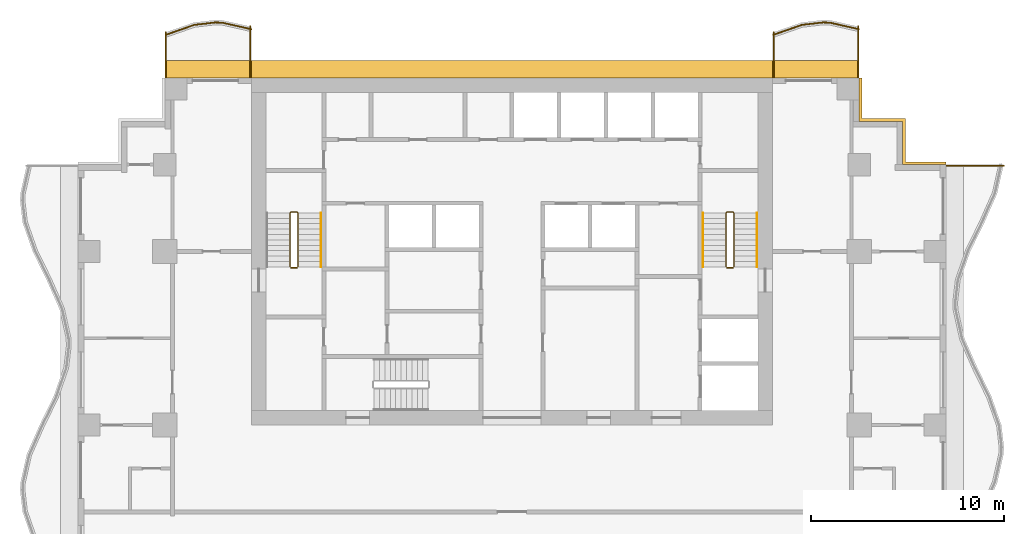
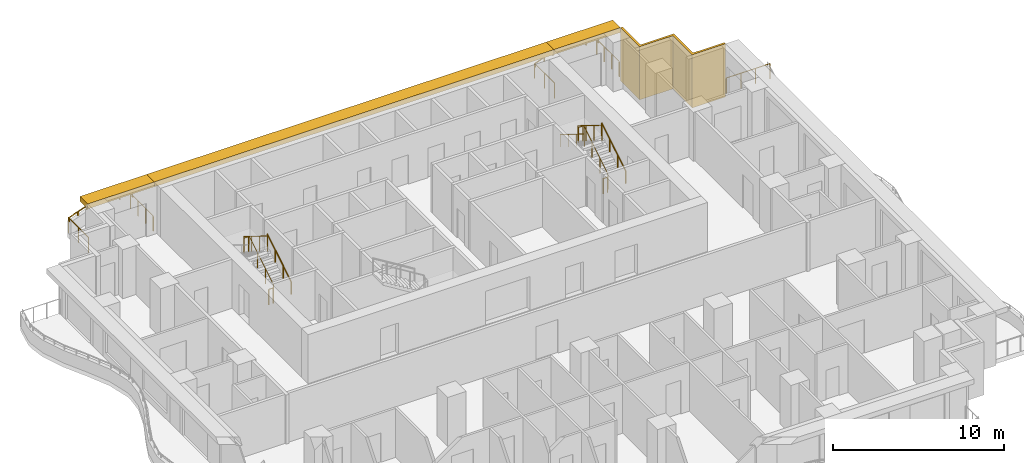
# One storey, part 10 of 10: 14 railings, 4 shading devices.
"""IFC4 building model written with IfcOpenShell, lengths in metres."""

from ifc_helpers import new_model, si_unit, direction, frame, origin, origin_2d, place, context, subcontext, project, spatial, polyline, rectangle, circle, outline, extrude, material, layer, layer_set, type_object, element, save


model = new_model("IFC4")

# Units and contexts
model_context = context("Model", 3, precision=1e-05, world=origin(), true_north=direction((0.0, 1.0)))
body_context = subcontext(model_context, "Body", "Model", "MODEL_VIEW")
ifc_project = project(units=[si_unit("LENGTHUNIT", "METRE"), si_unit("AREAUNIT", "SQUARE_METRE"), si_unit("VOLUMEUNIT", "CUBIC_METRE"), si_unit("PLANEANGLEUNIT", "RADIAN"), si_unit("MASSUNIT", "GRAM", prefix="KILO")], contexts=[model_context])

# Site, building, storey
site_placement = place(None, origin())
site = spatial("IfcSite", under=ifc_project, at=site_placement, CompositionType="ELEMENT")
building_placement = place(site_placement, origin())
building = spatial("IfcBuilding", under=site, at=building_placement, Name="Orbiselva Terraces", CompositionType="ELEMENT")
storey_placement = place(building_placement, frame((0.0, 0.0, 147.8)))
storey = spatial("IfcBuildingStorey", under=building, at=storey_placement, Name="L37", CompositionType="ELEMENT", Elevation=147.8)

# Railings
ifc_material_1 = material(Name="Stainless steel", Category="steel")
railing_type_1 = type_object("IfcRailingType", Name="CORE-GUARD-1100", PredefinedType="GUARDRAIL", material=ifc_material_1)
railing_1_placement = place(storey_placement, frame((-11.1, 12.7, 0.172727)))
element("IfcRailing", 1, at=railing_1_placement, inside=storey, type_object=railing_type_1, Name="L37 S1 stair guard 1", PredefinedType="GUARDRAIL", context=body_context, shape_type="SweptSolid", body=[
    extrude(circle(Radius=0.024, at=origin_2d()), frame((0.0, 0.0, 1.081), z_axis=(0.0, 0.851088519012, 0.52502222125), x_axis=(-1.0, 0.0, 0.0)), (0.0, 0.0, 1.0), 3.289905),
    extrude(circle(Radius=0.024, at=origin_2d()), frame((0.0, 2.8, 2.808273), z_axis=(-0.707106781187, 0.707106781187, 0.0), x_axis=(-0.707106781187, -0.707106781187, 0.0)), (0.0, 0.0, 1.0), 0.070711),
    extrude(circle(Radius=0.024, at=origin_2d()), frame((-0.05, 2.85, 2.808273), z_axis=(-1.0, 0.0, 0.0), x_axis=(0.0, -1.0, 0.0)), (0.0, 0.0, 1.0), 0.3),
    extrude(circle(Radius=0.024, at=origin_2d()), frame((-0.35, 2.85, 2.808273), z_axis=(-0.267894925557, -0.267894925557, 0.925453736133), x_axis=(0.707106781187, -0.707106781187, 0.0)), (0.0, 0.0, 1.0), 0.18664),
    extrude(circle(Radius=0.024, at=origin_2d()), frame((-0.4, 2.8, 2.981), z_axis=(0.0, -0.851088519012, 0.52502222125), x_axis=(1.0, 0.0, 0.0)), (0.0, 0.0, 1.0), 3.289905),
    extrude(circle(Radius=0.021, at=origin_2d()), origin(), (0.0, 0.0, 1.0), 1.057),
    extrude(circle(Radius=0.021, at=origin_2d()), frame((0.0, 0.933333, 0.575758)), (0.0, 0.0, 1.0), 1.057),
    extrude(circle(Radius=0.021, at=origin_2d()), frame((0.0, 1.866667, 1.151515)), (0.0, 0.0, 1.0), 1.057),
    extrude(circle(Radius=0.021, at=origin_2d()), frame((0.0, 2.8, 1.727273)), (0.0, 0.0, 1.0), 1.057),
    extrude(circle(Radius=0.021, at=origin_2d()), frame((-0.05, 2.85, 1.727273)), (0.0, 0.0, 1.0), 1.057),
    extrude(circle(Radius=0.021, at=origin_2d()), frame((-0.35, 2.85, 1.727273)), (0.0, 0.0, 1.0), 1.057),
    extrude(circle(Radius=0.021, at=origin_2d()), frame((-0.4, 2.8, 1.9)), (0.0, 0.0, 1.0), 1.057),
    extrude(circle(Radius=0.021, at=origin_2d()), frame((-0.4, 1.866667, 2.475758)), (0.0, 0.0, 1.0), 1.057),
    extrude(circle(Radius=0.021, at=origin_2d()), frame((-0.4, 0.933333, 3.051515)), (0.0, 0.0, 1.0), 1.057),
    extrude(circle(Radius=0.021, at=origin_2d()), frame((-0.4, 0.0, 3.627273)), (0.0, 0.0, 1.0), 1.057),
])
railing_2_placement = place(storey_placement, frame((-11.15, 12.65, 0.0)))
element("IfcRailing", 2, at=railing_2_placement, inside=storey, type_object=railing_type_1, Name="L37 S1 stair guard 2", PredefinedType="GUARDRAIL", context=body_context, shape_type="SweptSolid", body=[
    extrude(circle(Radius=0.024, at=origin_2d()), frame((0.0, 0.0, 1.081), z_axis=(-1.0, 0.0, 0.0), x_axis=(0.0, -1.0, 0.0)), (0.0, 0.0, 1.0), 0.3),
    extrude(circle(Radius=0.021, at=origin_2d()), origin(), (0.0, 0.0, 1.0), 1.057),
    extrude(circle(Radius=0.021, at=origin_2d()), frame((-0.3, 0.0, 0.0)), (0.0, 0.0, 1.0), 1.057),
])
railing_3_placement = place(storey_placement, frame((11.5, 12.7, 0.172727)))
element("IfcRailing", 3, at=railing_3_placement, inside=storey, type_object=railing_type_1, Name="L37 S2 stair guard 1", PredefinedType="GUARDRAIL", context=body_context, shape_type="SweptSolid", body=[
    extrude(circle(Radius=0.024, at=origin_2d()), frame((0.0, 0.0, 1.081), z_axis=(0.0, 0.851088519012, 0.52502222125), x_axis=(-1.0, 0.0, 0.0)), (0.0, 0.0, 1.0), 3.289905),
    extrude(circle(Radius=0.024, at=origin_2d()), frame((0.0, 2.8, 2.808273), z_axis=(-0.707106781187, 0.707106781187, 0.0), x_axis=(-0.707106781187, -0.707106781187, 0.0)), (0.0, 0.0, 1.0), 0.070711),
    extrude(circle(Radius=0.024, at=origin_2d()), frame((-0.05, 2.85, 2.808273), z_axis=(-1.0, 0.0, 0.0), x_axis=(0.0, -1.0, 0.0)), (0.0, 0.0, 1.0), 0.3),
    extrude(circle(Radius=0.024, at=origin_2d()), frame((-0.35, 2.85, 2.808273), z_axis=(-0.267894925557, -0.267894925557, 0.925453736133), x_axis=(0.707106781187, -0.707106781187, 0.0)), (0.0, 0.0, 1.0), 0.18664),
    extrude(circle(Radius=0.024, at=origin_2d()), frame((-0.4, 2.8, 2.981), z_axis=(0.0, -0.851088519012, 0.52502222125), x_axis=(1.0, 0.0, 0.0)), (0.0, 0.0, 1.0), 3.289905),
    extrude(circle(Radius=0.021, at=origin_2d()), origin(), (0.0, 0.0, 1.0), 1.057),
    extrude(circle(Radius=0.021, at=origin_2d()), frame((0.0, 0.933333, 0.575758)), (0.0, 0.0, 1.0), 1.057),
    extrude(circle(Radius=0.021, at=origin_2d()), frame((0.0, 1.866667, 1.151515)), (0.0, 0.0, 1.0), 1.057),
    extrude(circle(Radius=0.021, at=origin_2d()), frame((0.0, 2.8, 1.727273)), (0.0, 0.0, 1.0), 1.057),
    extrude(circle(Radius=0.021, at=origin_2d()), frame((-0.05, 2.85, 1.727273)), (0.0, 0.0, 1.0), 1.057),
    extrude(circle(Radius=0.021, at=origin_2d()), frame((-0.35, 2.85, 1.727273)), (0.0, 0.0, 1.0), 1.057),
    extrude(circle(Radius=0.021, at=origin_2d()), frame((-0.4, 2.8, 1.9)), (0.0, 0.0, 1.0), 1.057),
    extrude(circle(Radius=0.021, at=origin_2d()), frame((-0.4, 1.866667, 2.475758)), (0.0, 0.0, 1.0), 1.057),
    extrude(circle(Radius=0.021, at=origin_2d()), frame((-0.4, 0.933333, 3.051515)), (0.0, 0.0, 1.0), 1.057),
    extrude(circle(Radius=0.021, at=origin_2d()), frame((-0.4, 0.0, 3.627273)), (0.0, 0.0, 1.0), 1.057),
])
railing_4_placement = place(storey_placement, frame((11.45, 12.65, 0.0)))
element("IfcRailing", 4, at=railing_4_placement, inside=storey, type_object=railing_type_1, Name="L37 S2 stair guard 2", PredefinedType="GUARDRAIL", context=body_context, shape_type="SweptSolid", body=[
    extrude(circle(Radius=0.024, at=origin_2d()), frame((0.0, 0.0, 1.081), z_axis=(-1.0, 0.0, 0.0), x_axis=(0.0, -1.0, 0.0)), (0.0, 0.0, 1.0), 0.3),
    extrude(circle(Radius=0.021, at=origin_2d()), origin(), (0.0, 0.0, 1.0), 1.057),
    extrude(circle(Radius=0.021, at=origin_2d()), frame((-0.3, 0.0, 0.0)), (0.0, 0.0, 1.0), 1.057),
])
railing_type_2 = type_object("IfcRailingType", Name="CORE-HANDRAIL-900", PredefinedType="HANDRAIL", material=ifc_material_1)
for number, where, name in (
    (5, (-9.9, 12.7, 0.172727), "L37 S1 stair handrail 1"),
    (6, (12.7, 12.7, 0.172727), "L37 S2 stair handrail 1"),
):
    element("IfcRailing", number, at=place(storey_placement, frame(where)), inside=storey, type_object=railing_type_2, Name=name, PredefinedType="HANDRAIL", context=body_context, shape_type="SweptSolid", body=[
        extrude(circle(Radius=0.024, at=origin_2d()), frame((0.0, 0.0, 0.876), z_axis=(0.0, 0.851088519012, 0.52502222125), x_axis=(-1.0, 0.0, 0.0)), (0.0, 0.0, 1.0), 3.289905),
        extrude(circle(Radius=0.021, at=origin_2d()), origin(), (0.0, 0.0, 1.0), 0.852),
        extrude(circle(Radius=0.021, at=origin_2d()), frame((0.0, 0.933333, 0.575758)), (0.0, 0.0, 1.0), 0.852),
        extrude(circle(Radius=0.021, at=origin_2d()), frame((0.0, 1.866667, 1.151515)), (0.0, 0.0, 1.0), 0.852),
        extrude(circle(Radius=0.021, at=origin_2d()), frame((0.0, 2.8, 1.727273)), (0.0, 0.0, 1.0), 0.852),
    ])
railing_5_placement = place(storey_placement, frame((9.9, 15.5, 2.072727)))
element("IfcRailing", 7, at=railing_5_placement, inside=storey, type_object=railing_type_2, Name="L37 S2 stair handrail 2", PredefinedType="HANDRAIL", context=body_context, shape_type="SweptSolid", body=[
    extrude(circle(Radius=0.024, at=origin_2d()), frame((0.0, 0.0, 0.876), z_axis=(0.0, -0.851088519012, 0.52502222125), x_axis=(1.0, 0.0, 0.0)), (0.0, 0.0, 1.0), 3.289905),
    extrude(circle(Radius=0.021, at=origin_2d()), origin(), (0.0, 0.0, 1.0), 0.852),
    extrude(circle(Radius=0.021, at=origin_2d()), frame((0.0, -0.933333, 0.575758)), (0.0, 0.0, 1.0), 0.852),
    extrude(circle(Radius=0.021, at=origin_2d()), frame((0.0, -1.866667, 1.151515)), (0.0, 0.0, 1.0), 0.852),
    extrude(circle(Radius=0.021, at=origin_2d()), frame((0.0, -2.8, 1.727273)), (0.0, 0.0, 1.0), 0.852),
])
ifc_material_2 = material(Name="Bonded two-ply safety glass balustrade, stainless steel posts", Category="steel")
railing_type_3 = type_object("IfcRailingType", Name="ENV-BALUSTRADE-1200", PredefinedType="BALUSTRADE", material=ifc_material_2)
railing_6_placement = place(storey_placement, frame((17.972623, 25.026563, 0.9)))
element("IfcRailing", 8, at=railing_6_placement, inside=storey, type_object=railing_type_3, Name="Balcony balustrade L37 NE", PredefinedType="BALUSTRADE", context=body_context, shape_type="SweptSolid", body=[
    extrude(outline(polyline([(0.028868, 0.0), (0.014434, 0.025), (-0.014434, 0.025), (-0.028868, 0.0), (-0.014434, -0.025), (0.014434, -0.025), (0.028868, 0.0)])), frame((0.0, 0.0, 0.275), z_axis=(-0.975721322437, 0.21901575501, 0.0), x_axis=(-0.21901575501, -0.975721322437, 0.0)), (0.0, 0.0, 1.0), 1.525954),
    extrude(outline(polyline([(0.028868, 0.0), (0.014434, 0.025), (-0.014434, 0.025), (-0.028868, 0.0), (-0.014434, -0.025), (0.014434, -0.025), (0.028868, 0.0)])), frame((-1.488906, 0.334208, 0.275), z_axis=(-0.999224931454, 0.039364150694, 0.0), x_axis=(-0.039364150694, -0.999224931454, 0.0)), (0.0, 0.0, 1.0), 0.354206),
    extrude(outline(polyline([(0.028868, 0.0), (0.014434, 0.025), (-0.014434, 0.025), (-0.028868, 0.0), (-0.014434, -0.025), (0.014434, -0.025), (0.028868, 0.0)])), frame((-1.842837, 0.348151, 0.275), z_axis=(-0.993309658409, -0.115481264762, 0.0), x_axis=(0.115481264762, -0.993309658409, 0.0)), (0.0, 0.0, 1.0), 1.10902),
    extrude(outline(polyline([(0.028868, 0.0), (0.014434, 0.025), (-0.014434, 0.025), (-0.028868, 0.0), (-0.014434, -0.025), (0.014434, -0.025), (0.028868, 0.0)])), frame((-2.944437, 0.22008, 0.275), z_axis=(-0.943972228787, -0.330024894939, 0.0), x_axis=(0.330024894939, -0.943972228787, 0.0)), (0.0, 0.0, 1.0), 1.575187),
    extrude(rectangle(XDim=0.05, YDim=0.05, at=origin_2d()), origin(), (0.0, 0.0, 1.0), 0.25),
    extrude(rectangle(XDim=0.05, YDim=0.05, at=origin_2d()), frame((-0.744453, 0.167104, 0.0)), (0.0, 0.0, 1.0), 0.25),
    extrude(rectangle(XDim=0.05, YDim=0.05, at=origin_2d()), frame((-1.488906, 0.334208, 0.0)), (0.0, 0.0, 1.0), 0.25),
    extrude(rectangle(XDim=0.05, YDim=0.05, at=origin_2d()), frame((-1.842837, 0.348151, 0.0)), (0.0, 0.0, 1.0), 0.25),
    extrude(rectangle(XDim=0.05, YDim=0.05, at=origin_2d()), frame((-2.944437, 0.22008, 0.0)), (0.0, 0.0, 1.0), 0.25),
    extrude(rectangle(XDim=0.05, YDim=0.05, at=origin_2d()), frame((-3.687903, -0.039846, 0.0)), (0.0, 0.0, 1.0), 0.25),
    extrude(rectangle(XDim=0.05, YDim=0.05, at=origin_2d()), frame((-4.43137, -0.299771, 0.0)), (0.0, 0.0, 1.0), 0.25),
])
railing_7_placement = place(storey_placement, frame((-13.527377, 25.026563, 0.9)))
element("IfcRailing", 9, at=railing_7_placement, inside=storey, type_object=railing_type_3, Name="Balcony balustrade L37 NW", PredefinedType="BALUSTRADE", context=body_context, shape_type="SweptSolid", body=[
    extrude(outline(polyline([(0.028868, 0.0), (0.014434, 0.025), (-0.014434, 0.025), (-0.028868, 0.0), (-0.014434, -0.025), (0.014434, -0.025), (0.028868, 0.0)])), frame((0.0, 0.0, 0.275), z_axis=(-0.975721322437, 0.21901575501, 0.0), x_axis=(-0.21901575501, -0.975721322437, 0.0)), (0.0, 0.0, 1.0), 1.525954),
    extrude(outline(polyline([(0.028868, 0.0), (0.014434, 0.025), (-0.014434, 0.025), (-0.028868, 0.0), (-0.014434, -0.025), (0.014434, -0.025), (0.028868, 0.0)])), frame((-1.488906, 0.334208, 0.275), z_axis=(-0.999224931454, 0.039364150694, 0.0), x_axis=(-0.039364150694, -0.999224931454, 0.0)), (0.0, 0.0, 1.0), 0.354206),
    extrude(outline(polyline([(0.028868, 0.0), (0.014434, 0.025), (-0.014434, 0.025), (-0.028868, 0.0), (-0.014434, -0.025), (0.014434, -0.025), (0.028868, 0.0)])), frame((-1.842837, 0.348151, 0.275), z_axis=(-0.993309658409, -0.115481264762, 0.0), x_axis=(0.115481264762, -0.993309658409, 0.0)), (0.0, 0.0, 1.0), 1.10902),
    extrude(outline(polyline([(0.028868, 0.0), (0.014434, 0.025), (-0.014434, 0.025), (-0.028868, 0.0), (-0.014434, -0.025), (0.014434, -0.025), (0.028868, 0.0)])), frame((-2.944437, 0.22008, 0.275), z_axis=(-0.943972228787, -0.330024894939, 0.0), x_axis=(0.330024894939, -0.943972228787, 0.0)), (0.0, 0.0, 1.0), 1.575187),
    extrude(rectangle(XDim=0.05, YDim=0.05, at=origin_2d()), origin(), (0.0, 0.0, 1.0), 0.25),
    extrude(rectangle(XDim=0.05, YDim=0.05, at=origin_2d()), frame((-0.744453, 0.167104, 0.0)), (0.0, 0.0, 1.0), 0.25),
    extrude(rectangle(XDim=0.05, YDim=0.05, at=origin_2d()), frame((-1.488906, 0.334208, 0.0)), (0.0, 0.0, 1.0), 0.25),
    extrude(rectangle(XDim=0.05, YDim=0.05, at=origin_2d()), frame((-1.842837, 0.348151, 0.0)), (0.0, 0.0, 1.0), 0.25),
    extrude(rectangle(XDim=0.05, YDim=0.05, at=origin_2d()), frame((-2.944437, 0.22008, 0.0)), (0.0, 0.0, 1.0), 0.25),
    extrude(rectangle(XDim=0.05, YDim=0.05, at=origin_2d()), frame((-3.687903, -0.039846, 0.0)), (0.0, 0.0, 1.0), 0.25),
    extrude(rectangle(XDim=0.05, YDim=0.05, at=origin_2d()), frame((-4.43137, -0.299771, 0.0)), (0.0, 0.0, 1.0), 0.25),
])
ifc_material_3 = material(Name="Stainless steel rail and posts", Category="steel")
railing_type_4 = type_object("IfcRailingType", Name="ENV-GUARD-1105", PredefinedType="BALUSTRADE", material=ifc_material_3)
railing_8_placement = place(storey_placement, frame((25.480134, 17.94, 0.0)))
element("IfcRailing", 10, at=railing_8_placement, inside=storey, type_object=railing_type_4, Name="Balcony end guard L37 E", PredefinedType="BALUSTRADE", context=body_context, shape_type="SweptSolid", body=[
    extrude(outline(polyline([(0.028868, 0.0), (0.014434, 0.025), (-0.014434, 0.025), (-0.028868, 0.0), (-0.014434, -0.025), (0.014434, -0.025), (0.028868, 0.0)])), frame((0.0, 0.0, 1.08), z_axis=(-1.0, 0.0, 0.0), x_axis=(0.0, -1.0, 0.0)), (0.0, 0.0, 1.0), 2.955134),
    extrude(rectangle(XDim=0.05, YDim=0.05, at=origin_2d()), origin(), (0.0, 0.0, 1.0), 1.055),
    extrude(rectangle(XDim=0.05, YDim=0.05, at=origin_2d()), frame((-0.985045, 0.0, 0.0)), (0.0, 0.0, 1.0), 1.055),
    extrude(rectangle(XDim=0.05, YDim=0.05, at=origin_2d()), frame((-1.970089, 0.0, 0.0)), (0.0, 0.0, 1.0), 1.055),
    extrude(rectangle(XDim=0.05, YDim=0.05, at=origin_2d()), frame((-2.955134, 0.0, 0.0)), (0.0, 0.0, 1.0), 1.055),
])
railing_9_placement = place(storey_placement, frame((17.94, 25.169584, 0.0)))
element("IfcRailing", 11, at=railing_9_placement, inside=storey, type_object=railing_type_4, Name="Balcony end guard L37 NE", PredefinedType="BALUSTRADE", context=body_context, shape_type="SweptSolid", body=[
    extrude(outline(polyline([(0.028868, 0.0), (0.014434, 0.025), (-0.014434, 0.025), (-0.028868, 0.0), (-0.014434, -0.025), (0.014434, -0.025), (0.028868, 0.0)])), frame((0.0, 0.0, 1.08), z_axis=(0.0, -1.0, 0.0), x_axis=(1.0, 0.0, 0.0)), (0.0, 0.0, 1.0), 2.644584),
    extrude(rectangle(XDim=0.05, YDim=0.05, at=origin_2d()), origin(), (0.0, 0.0, 1.0), 1.055),
    extrude(rectangle(XDim=0.05, YDim=0.05, at=origin_2d()), frame((0.0, -0.881528, 0.0)), (0.0, 0.0, 1.0), 1.055),
    extrude(rectangle(XDim=0.05, YDim=0.05, at=origin_2d()), frame((0.0, -1.763056, 0.0)), (0.0, 0.0, 1.0), 1.055),
    extrude(rectangle(XDim=0.05, YDim=0.05, at=origin_2d()), frame((0.0, -2.644584, 0.0)), (0.0, 0.0, 1.0), 1.055),
])
railing_10_placement = place(storey_placement, frame((13.56, 24.871486, 0.0)))
element("IfcRailing", 12, at=railing_10_placement, inside=storey, type_object=railing_type_4, Name="Balcony end guard L37 NE", PredefinedType="BALUSTRADE", context=body_context, shape_type="SweptSolid", body=[
    extrude(outline(polyline([(0.028868, 0.0), (0.014434, 0.025), (-0.014434, 0.025), (-0.028868, 0.0), (-0.014434, -0.025), (0.014434, -0.025), (0.028868, 0.0)])), frame((0.0, 0.0, 1.08), z_axis=(0.0, -1.0, 0.0), x_axis=(1.0, 0.0, 0.0)), (0.0, 0.0, 1.0), 2.346486),
    extrude(rectangle(XDim=0.05, YDim=0.05, at=origin_2d()), origin(), (0.0, 0.0, 1.0), 1.055),
    extrude(rectangle(XDim=0.05, YDim=0.05, at=origin_2d()), frame((0.0, -1.173243, 0.0)), (0.0, 0.0, 1.0), 1.055),
    extrude(rectangle(XDim=0.05, YDim=0.05, at=origin_2d()), frame((0.0, -2.346486, 0.0)), (0.0, 0.0, 1.0), 1.055),
])
railing_11_placement = place(storey_placement, frame((-13.56, 25.169584, 0.0)))
element("IfcRailing", 13, at=railing_11_placement, inside=storey, type_object=railing_type_4, Name="Balcony end guard L37 NW", PredefinedType="BALUSTRADE", context=body_context, shape_type="SweptSolid", body=[
    extrude(outline(polyline([(0.028868, 0.0), (0.014434, 0.025), (-0.014434, 0.025), (-0.028868, 0.0), (-0.014434, -0.025), (0.014434, -0.025), (0.028868, 0.0)])), frame((0.0, 0.0, 1.08), z_axis=(0.0, -1.0, 0.0), x_axis=(1.0, 0.0, 0.0)), (0.0, 0.0, 1.0), 2.644584),
    extrude(rectangle(XDim=0.05, YDim=0.05, at=origin_2d()), origin(), (0.0, 0.0, 1.0), 1.055),
    extrude(rectangle(XDim=0.05, YDim=0.05, at=origin_2d()), frame((0.0, -0.881528, 0.0)), (0.0, 0.0, 1.0), 1.055),
    extrude(rectangle(XDim=0.05, YDim=0.05, at=origin_2d()), frame((0.0, -1.763056, 0.0)), (0.0, 0.0, 1.0), 1.055),
    extrude(rectangle(XDim=0.05, YDim=0.05, at=origin_2d()), frame((0.0, -2.644584, 0.0)), (0.0, 0.0, 1.0), 1.055),
])
railing_12_placement = place(storey_placement, frame((-17.94, 24.871486, 0.0)))
element("IfcRailing", 14, at=railing_12_placement, inside=storey, type_object=railing_type_4, Name="Balcony end guard L37 NW", PredefinedType="BALUSTRADE", context=body_context, shape_type="SweptSolid", body=[
    extrude(outline(polyline([(0.028868, 0.0), (0.014434, 0.025), (-0.014434, 0.025), (-0.028868, 0.0), (-0.014434, -0.025), (0.014434, -0.025), (0.028868, 0.0)])), frame((0.0, 0.0, 1.08), z_axis=(0.0, -1.0, 0.0), x_axis=(1.0, 0.0, 0.0)), (0.0, 0.0, 1.0), 2.346486),
    extrude(rectangle(XDim=0.05, YDim=0.05, at=origin_2d()), origin(), (0.0, 0.0, 1.0), 1.055),
    extrude(rectangle(XDim=0.05, YDim=0.05, at=origin_2d()), frame((0.0, -1.173243, 0.0)), (0.0, 0.0, 1.0), 1.055),
    extrude(rectangle(XDim=0.05, YDim=0.05, at=origin_2d()), frame((0.0, -2.346486, 0.0)), (0.0, 0.0, 1.0), 1.055),
])

# Shading devices
ifc_material_4 = material(Name="Terracotta louvre screen", Category="masonry")
ifc_layer_1 = layer(ifc_material_4, 0.15)
ifc_layer_set_1 = layer_set([ifc_layer_1], Name="Terracotta louvre screen")
shading_device_type_1 = type_object("IfcShadingDeviceType", Name="ENV-SCREEN-150", PredefinedType="USERDEFINED", material=ifc_layer_set_1)
shading_device_1_placement = place(storey_placement, frame((0.0, 0.0, -0.3)))
element("IfcShadingDevice", 15, at=shading_device_1_placement, inside=storey, type_object=shading_device_type_1, Name="Louvre screen L37 NE", ObjectType="SCREEN", PredefinedType="USERDEFINED", context=body_context, shape_type="SweptSolid", body=[
    extrude(outline(polyline([(22.5, 18.15), (20.4, 18.15), (20.4, 20.4), (18.15, 20.4), (18.15, 22.5), (18.0, 22.5), (18.0, 20.25), (20.25, 20.25), (20.25, 18.0), (22.5, 18.0), (22.5, 18.15)])), origin(), (0.0, 0.0, 1.0), 3.8),
])
ifc_material_5 = material(Name="Terracotta baguette sunshade", Category="masonry")
ifc_layer_2 = layer(ifc_material_5, 0.35)
ifc_layer_set_2 = layer_set([ifc_layer_2], Name="Terracotta baguette sunshade")
shading_device_type_2 = type_object("IfcShadingDeviceType", Name="ENV-SUNSHADE-900x350", PredefinedType="USERDEFINED", material=ifc_layer_set_2)
shading_device_2_placement = place(storey_placement, frame((0.0, 0.0, 3.15)))
element("IfcShadingDevice", 16, at=shading_device_2_placement, inside=storey, type_object=shading_device_type_2, Name="Sunshade band L37 NE", ObjectType="SUNSHADE", PredefinedType="USERDEFINED", context=body_context, shape_type="SweptSolid", body=[
    extrude(outline(polyline([(18.0, 23.4), (13.5, 23.4), (13.5, 22.5), (18.0, 22.5), (18.0, 23.4)])), origin(), (0.0, 0.0, 1.0), 0.35),
])
shading_device_3_placement = place(storey_placement, frame((0.0, 0.0, 3.15)))
element("IfcShadingDevice", 17, at=shading_device_3_placement, inside=storey, type_object=shading_device_type_2, Name="Sunshade band L37 CORE NORTH", ObjectType="SUNSHADE", PredefinedType="USERDEFINED", context=body_context, shape_type="SweptSolid", body=[
    extrude(outline(polyline([(13.5, 23.4), (-13.5, 23.4), (-13.5, 22.5), (13.5, 22.5), (13.5, 23.4)])), origin(), (0.0, 0.0, 1.0), 0.35),
])
shading_device_4_placement = place(storey_placement, frame((0.0, 0.0, 3.15)))
element("IfcShadingDevice", 18, at=shading_device_4_placement, inside=storey, type_object=shading_device_type_2, Name="Sunshade band L37 NW", ObjectType="SUNSHADE", PredefinedType="USERDEFINED", context=body_context, shape_type="SweptSolid", body=[
    extrude(outline(polyline([(-13.5, 23.4), (-18.0, 23.4), (-18.0, 22.5), (-13.5, 22.5), (-13.5, 23.4)])), origin(), (0.0, 0.0, 1.0), 0.35),
])

save(model, "model.ifc")
